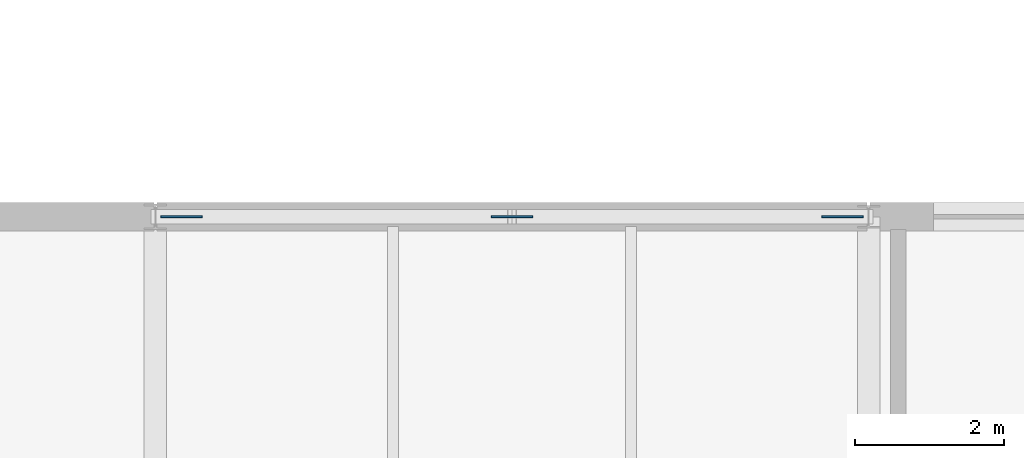
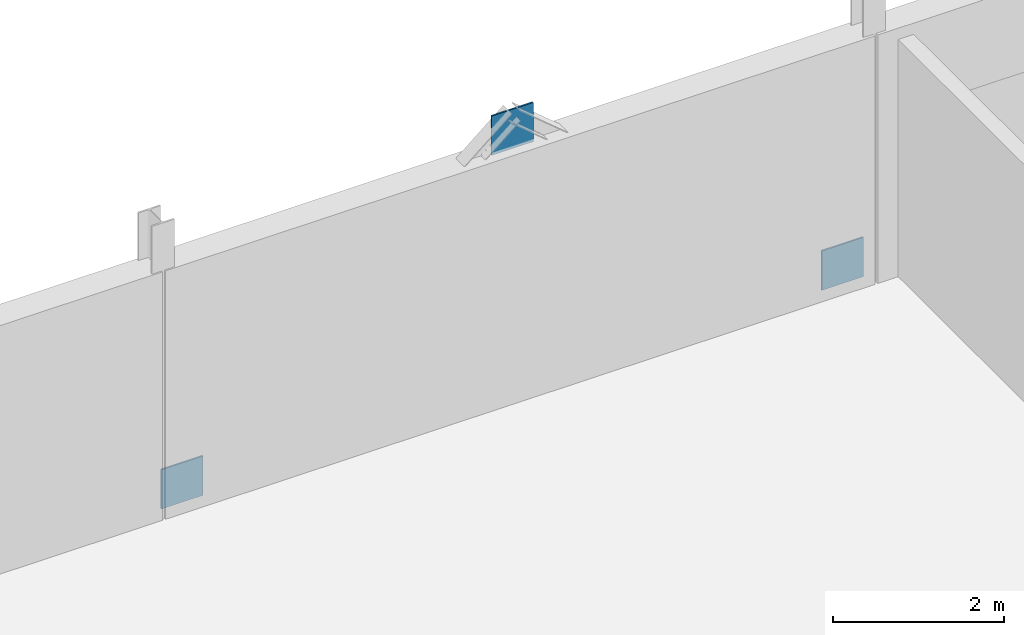
# One storey, part 59 of 73: 3 plates.
"""IFC4 building model written with IfcOpenShell, lengths in metres."""

from ifc_helpers import new_model, si_unit, direction, frame, origin, origin_2d, place, context, subcontext, project, spatial, rectangle, extrude, material, layer, layer_set, type_object, element, save


model = new_model("IFC4")

# Units and contexts
model_context = context("Model", 3, precision=1e-05, world=origin(), true_north=direction((0.0, 1.0)))
body_context = subcontext(model_context, "Body", "Model", "MODEL_VIEW")
ifc_project = project(units=[si_unit("LENGTHUNIT", "METRE"), si_unit("AREAUNIT", "SQUARE_METRE"), si_unit("VOLUMEUNIT", "CUBIC_METRE"), si_unit("PLANEANGLEUNIT", "RADIAN"), si_unit("MASSUNIT", "GRAM", prefix="KILO")], contexts=[model_context])

# Site, building, storey
site_placement = place(None, origin())
site = spatial("IfcSite", under=ifc_project, at=site_placement, CompositionType="ELEMENT")
building_placement = place(site_placement, origin())
building = spatial("IfcBuilding", under=site, at=building_placement, Name="Alderhovde Museum", CompositionType="ELEMENT")
storey_placement = place(building_placement, frame((0.0, 0.0, 12.89990234375)))
storey = spatial("IfcBuildingStorey", under=building, at=storey_placement, Name="L03", CompositionType="ELEMENT", Elevation=12.89990234375)

# Plates
ifc_material = material(Name="Steel S355J2", Category="steel")
ifc_layer = layer(ifc_material, 0.02197265625)
ifc_layer_set = layer_set([ifc_layer], Name="Steel S355J2")
plate_type = type_object("IfcPlateType", Name="PLT-GUSSET-22", PredefinedType="USERDEFINED", material=ifc_layer_set)
for number, where, z_axis, x_axis, name in (
    (1, (125.14990234375, 96.0, 0.02001953125), (0.0, 0.0, 1.0), (1.0, 0.0, 0.0), "L03 Brace End Gusset Plate BR-V5-N-BL"),
    (2, (134.050048828125, 96.0, 0.02001953125), (0.0, 0.0, 1.0), (1.0, 0.0, 0.0), "L03 Brace End Gusset Plate BR-V5-N-BR"),
    (3, (129.60009765625, 96.0, 3.5), (0.0, 0.0, 1.0), (1.0, 0.0, 0.0), "L03 Brace End Gusset Plate BR-V5-N-APX"),
):
    element("IfcPlate", number, at=place(storey_placement, frame(where, z_axis=z_axis, x_axis=x_axis)), inside=storey, type_object=plate_type, Name=name, ObjectType="GUSSET PLATE", PredefinedType="USERDEFINED", context=body_context, shape_type="SweptSolid", body=[
        extrude(rectangle(XDim=0.56005859375, YDim=0.02197265625, at=origin_2d()), origin(), (0.0, 0.0, 1.0), 0.56005859375),
    ])

save(model, "model.ifc")
